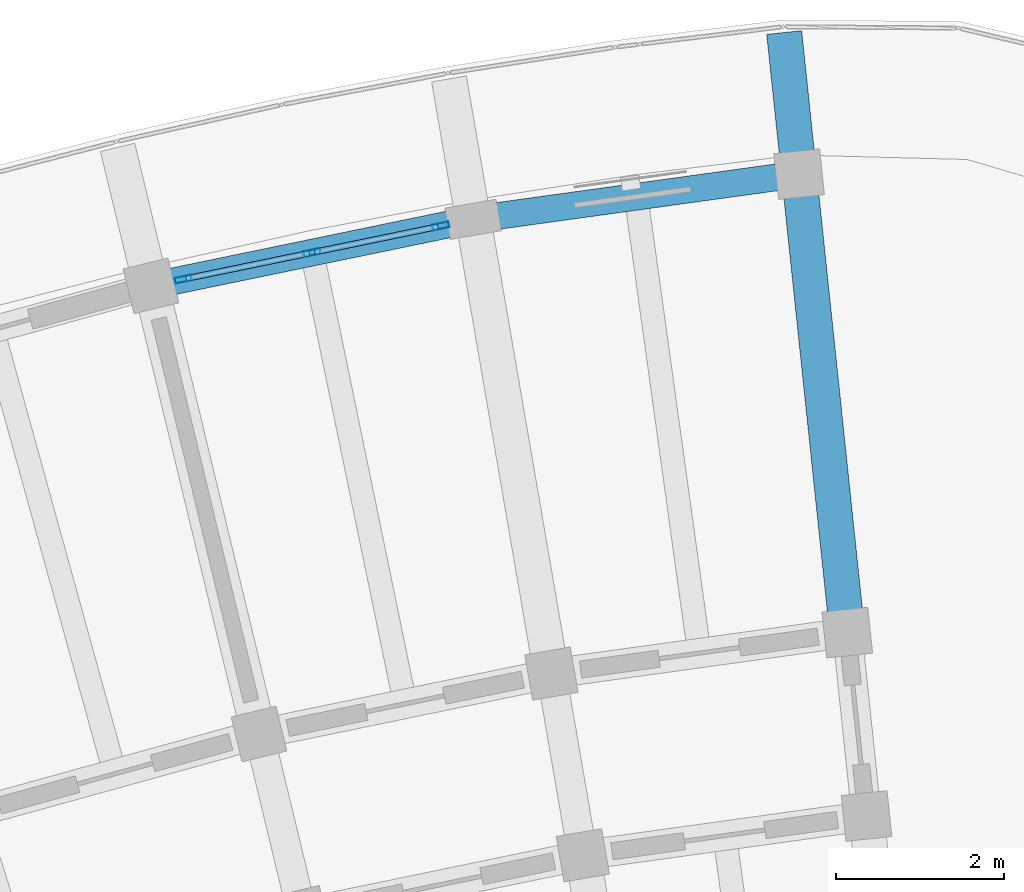
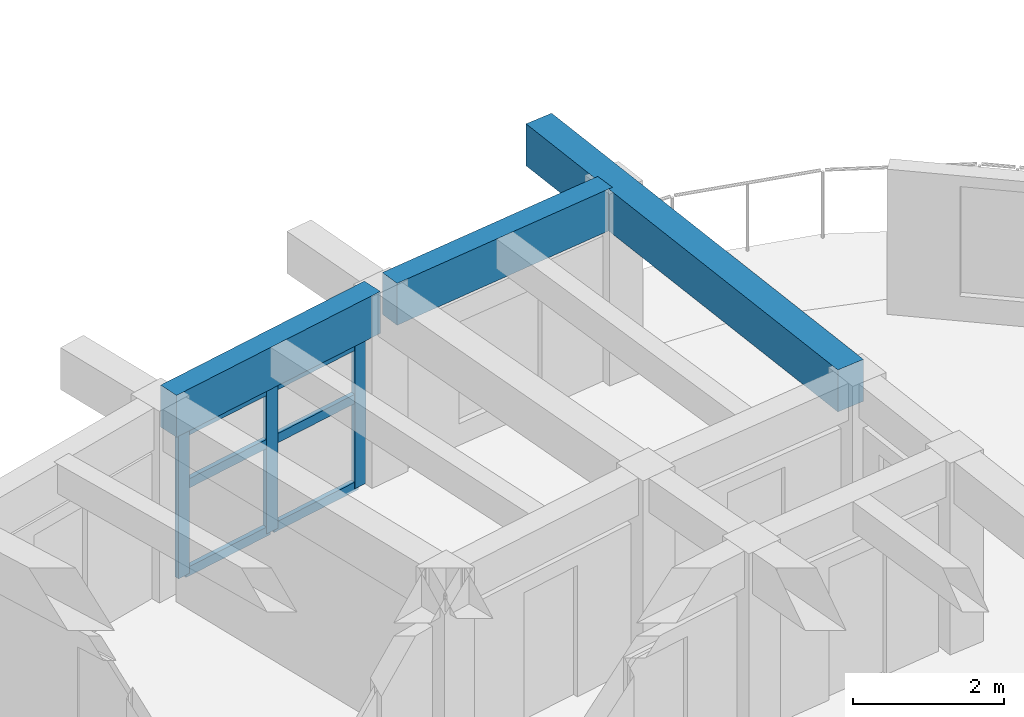
# One storey, part 15 of 81: 9 members, 3 beams, 1 element without a shape of its own.
"""IFC4 building model written with IfcOpenShell, lengths in metres."""

from ifc_helpers import new_model, si_unit, direction, frame, origin, origin_2d, place, context, subcontext, project, spatial, rectangle, hollow_rectangle, extrude, material, material_profile, profile_set, type_object, element, aggregate, save


model = new_model("IFC4")

# Units and contexts
model_context = context("Model", 3, precision=1e-05, world=origin(), true_north=direction((0.0, 1.0)))
body_context = subcontext(model_context, "Body", "Model", "MODEL_VIEW")
ifc_project = project(units=[si_unit("LENGTHUNIT", "METRE"), si_unit("AREAUNIT", "SQUARE_METRE"), si_unit("VOLUMEUNIT", "CUBIC_METRE"), si_unit("PLANEANGLEUNIT", "RADIAN"), si_unit("MASSUNIT", "GRAM", prefix="KILO")], contexts=[model_context])

# Site, building, storey
site_placement = place(None, origin())
site = spatial("IfcSite", under=ifc_project, at=site_placement, CompositionType="ELEMENT")
building_placement = place(site_placement, origin())
building = spatial("IfcBuilding", under=site, at=building_placement, Name="Tanwirah Colonnade Gardens", CompositionType="ELEMENT")
storey_placement = place(building_placement, frame((0.0, 0.0, 18.919921875)))
storey = spatial("IfcBuildingStorey", under=building, at=storey_placement, Name="L05", CompositionType="ELEMENT", Elevation=18.919921875)

# Beam
ifc_material_1 = material(Name="Precast concrete C45/55", Category="concrete")
ifc_material_profile_1 = material_profile(ifc_material_1, rectangle(XDim=0.419921875, YDim=0.679931640625, at=origin_2d()), Name="PC-BM 420x680")
ifc_profile_set_1 = profile_set([ifc_material_profile_1], Name="Precast concrete C45/55")
beam_type_1 = type_object("IfcBeamType", Name="BM-PC420", PredefinedType="BEAM", material=ifc_profile_set_1)
beam_placement = place(storey_placement, frame((59.33447265625, 114.10302734375, 2.77001953125), z_axis=(-0.104511730475, 0.994523653913, 0.0), x_axis=(-0.994523653913, -0.104511730475, 0.0)))
element("IfcBeam", 1, at=beam_placement, inside=storey, type_object=beam_type_1, Name="Block A L05 Outer Radial Precast Girder 0", PredefinedType="BEAM", context=body_context, shape_type="SweptSolid", body=[
    extrude(rectangle(XDim=0.419921875, YDim=0.679931640625, at=origin_2d()), origin(), (0.0, 0.0, 1.0), 7.050048828125),
])

# Curtain wall, members
ifc_material_2 = material(Name="Bronze-anodised aluminium and solar-control low-E glass", Category="aluminium")
curtain_wall_type = type_object("IfcCurtainWallType", Name="CW-LOB", PredefinedType="NOTDEFINED", material=ifc_material_2)
curtain_wall_placement = place(storey_placement, origin())
curtain_wall = element("IfcCurtainWall", 2, at=curtain_wall_placement, inside=storey, type_object=curtain_wall_type, Name="Curtain Wall CW-A-L05-OUT-01", PredefinedType="NOTDEFINED")
ifc_material_3 = material(Name="Bronze-anodised aluminium", Category="aluminium")
ifc_material_profile_2 = material_profile(ifc_material_3, hollow_rectangle(XDim=0.070068359375, YDim=0.199951171875, WallThickness=0.00390625, at=origin_2d()), Name="CW-MUL 70x200x4")
ifc_profile_set_2 = profile_set([ifc_material_profile_2], Name="Bronze-anodised aluminium")
member_type_1 = type_object("IfcMemberType", Name="CWM-70x200", PredefinedType="MULLION", material=ifc_profile_set_2)
member_1_placement = place(storey_placement, frame((54.5, 118.80517578125, 0.0), z_axis=(0.0, 0.0, 1.0), x_axis=(0.202218047772, -0.979340523595, 0.0)))
member_1 = element("IfcMember", 3, at=member_1_placement, type_object=member_type_1, Name="CW-LOB mullion 1", PredefinedType="MULLION", context=body_context, shape_type="SweptSolid", body=[
    extrude(hollow_rectangle(XDim=0.070068359375, YDim=0.199951171875, WallThickness=0.00390625, at=origin_2d()), origin(), (0.0, 0.0, 1.0), 2.35498046875),
])
member_2_placement = place(storey_placement, frame((52.964599609375, 118.488037109375, 0.0), z_axis=(0.0, 0.0, 1.0), x_axis=(0.202218047772, -0.979340523595, 0.0)))
member_2 = element("IfcMember", 4, at=member_2_placement, type_object=member_type_1, Name="CW-LOB mullion 2", PredefinedType="MULLION", context=body_context, shape_type="SweptSolid", body=[
    extrude(hollow_rectangle(XDim=0.070068359375, YDim=0.199951171875, WallThickness=0.00390625, at=origin_2d()), origin(), (0.0, 0.0, 1.0), 2.35498046875),
])
member_3_placement = place(storey_placement, frame((51.428955078125, 118.1708984375, 0.0), z_axis=(0.0, 0.0, 1.0), x_axis=(0.202218047772, -0.979340523595, 0.0)))
member_3 = element("IfcMember", 5, at=member_3_placement, type_object=member_type_1, Name="CW-LOB mullion 3", PredefinedType="MULLION", context=body_context, shape_type="SweptSolid", body=[
    extrude(hollow_rectangle(XDim=0.070068359375, YDim=0.199951171875, WallThickness=0.00390625, at=origin_2d()), origin(), (0.0, 0.0, 1.0), 2.35498046875),
])
ifc_material_profile_3 = material_profile(ifc_material_3, hollow_rectangle(XDim=0.070068359375, YDim=0.14990234375, WallThickness=0.00390625, at=origin_2d()), Name="CW-TRN 70x150x4")
ifc_profile_set_3 = profile_set([ifc_material_profile_3], Name="Bronze-anodised aluminium")
member_type_2 = type_object("IfcMemberType", Name="CWT-70x150", PredefinedType="USERDEFINED", material=ifc_profile_set_3)
member_4_placement = place(storey_placement, frame((54.465576171875, 118.798095703125, 0.03515625), z_axis=(-0.979326164113, -0.202287578173, 0.0), x_axis=(0.202287578173, -0.979326164113, 0.0)))
member_4 = element("IfcMember", 6, at=member_4_placement, type_object=member_type_2, Name="CW-LOB transom 1.1", ObjectType="TRANSOM", PredefinedType="USERDEFINED", context=body_context, shape_type="SweptSolid", body=[
    extrude(hollow_rectangle(XDim=0.070068359375, YDim=0.14990234375, WallThickness=0.00390625, at=origin_2d()), origin(), (0.0, 0.0, 1.0), 1.497802734375),
])
member_5_placement = place(storey_placement, frame((54.465576171875, 118.798095703125, 1.460205078125), z_axis=(-0.979326164113, -0.202287578173, 0.0), x_axis=(0.202287578173, -0.979326164113, 0.0)))
member_5 = element("IfcMember", 7, at=member_5_placement, type_object=member_type_2, Name="CW-LOB transom 1.2", ObjectType="TRANSOM", PredefinedType="USERDEFINED", context=body_context, shape_type="SweptSolid", body=[
    extrude(hollow_rectangle(XDim=0.070068359375, YDim=0.14990234375, WallThickness=0.00390625, at=origin_2d()), origin(), (0.0, 0.0, 1.0), 1.497802734375),
])
member_6_placement = place(storey_placement, frame((54.465576171875, 118.798095703125, 2.320068359375), z_axis=(-0.979326164113, -0.202287578173, 0.0), x_axis=(0.202287578173, -0.979326164113, 0.0)))
member_6 = element("IfcMember", 8, at=member_6_placement, type_object=member_type_2, Name="CW-LOB transom 1.3", ObjectType="TRANSOM", PredefinedType="USERDEFINED", context=body_context, shape_type="SweptSolid", body=[
    extrude(hollow_rectangle(XDim=0.070068359375, YDim=0.14990234375, WallThickness=0.00390625, at=origin_2d()), origin(), (0.0, 0.0, 1.0), 1.497802734375),
])
member_7_placement = place(storey_placement, frame((52.93017578125, 118.48095703125, 0.03515625), z_axis=(-0.979326164113, -0.202287578173, 0.0), x_axis=(0.202287578173, -0.979326164113, 0.0)))
member_7 = element("IfcMember", 9, at=member_7_placement, type_object=member_type_2, Name="CW-LOB transom 2.1", ObjectType="TRANSOM", PredefinedType="USERDEFINED", context=body_context, shape_type="SweptSolid", body=[
    extrude(hollow_rectangle(XDim=0.070068359375, YDim=0.14990234375, WallThickness=0.00390625, at=origin_2d()), origin(), (0.0, 0.0, 1.0), 1.497802734375),
])
member_8_placement = place(storey_placement, frame((52.93017578125, 118.48095703125, 1.460205078125), z_axis=(-0.979326164113, -0.202287578173, 0.0), x_axis=(0.202287578173, -0.979326164113, 0.0)))
member_8 = element("IfcMember", 10, at=member_8_placement, type_object=member_type_2, Name="CW-LOB transom 2.2", ObjectType="TRANSOM", PredefinedType="USERDEFINED", context=body_context, shape_type="SweptSolid", body=[
    extrude(hollow_rectangle(XDim=0.070068359375, YDim=0.14990234375, WallThickness=0.00390625, at=origin_2d()), origin(), (0.0, 0.0, 1.0), 1.497802734375),
])
member_9_placement = place(storey_placement, frame((52.93017578125, 118.48095703125, 2.320068359375), z_axis=(-0.979326164113, -0.202287578173, 0.0), x_axis=(0.202287578173, -0.979326164113, 0.0)))
member_9 = element("IfcMember", 11, at=member_9_placement, type_object=member_type_2, Name="CW-LOB transom 2.3", ObjectType="TRANSOM", PredefinedType="USERDEFINED", context=body_context, shape_type="SweptSolid", body=[
    extrude(hollow_rectangle(XDim=0.070068359375, YDim=0.14990234375, WallThickness=0.00390625, at=origin_2d()), origin(), (0.0, 0.0, 1.0), 1.497802734375),
])
aggregate(curtain_wall, [member_1, member_2, member_3, member_4, member_5, member_6, member_7, member_8, member_9])

# Beams
ifc_material_profile_4 = material_profile(ifc_material_1, rectangle(XDim=0.320068359375, YDim=0.679931640625, at=origin_2d()), Name="PC-SP 320x680")
ifc_profile_set_4 = profile_set([ifc_material_profile_4], Name="Precast concrete C45/55")
beam_type_2 = type_object("IfcBeamType", Name="SP-PC320", PredefinedType="SPANDREL", material=ifc_profile_set_4)
for number, where, z_axis, x_axis, name in (
    (12, (58.626708984375, 119.403076171875, 2.77001953125), (-0.990538603978, -0.137234376268, 0.0), (0.137234376268, -0.990538603978, 0.0), "Block A L05 Circumferential Beam 0-R3"),
    (13, (54.739990234375, 118.854736328125, 2.77001953125), (-0.979328544205, -0.202276055197, 0.0), (0.202276055197, -0.979328544205, 0.0), "Block A L05 Circumferential Beam 1-R3"),
):
    element("IfcBeam", number, at=place(storey_placement, frame(where, z_axis=z_axis, x_axis=x_axis)), inside=storey, type_object=beam_type_2, Name=name, PredefinedType="SPANDREL", context=body_context, shape_type="SweptSolid", body=[
        extrude(rectangle(XDim=0.320068359375, YDim=0.679931640625, at=origin_2d()), origin(), (0.0, 0.0, 1.0), 3.625732421875),
    ])

save(model, "model.ifc")
